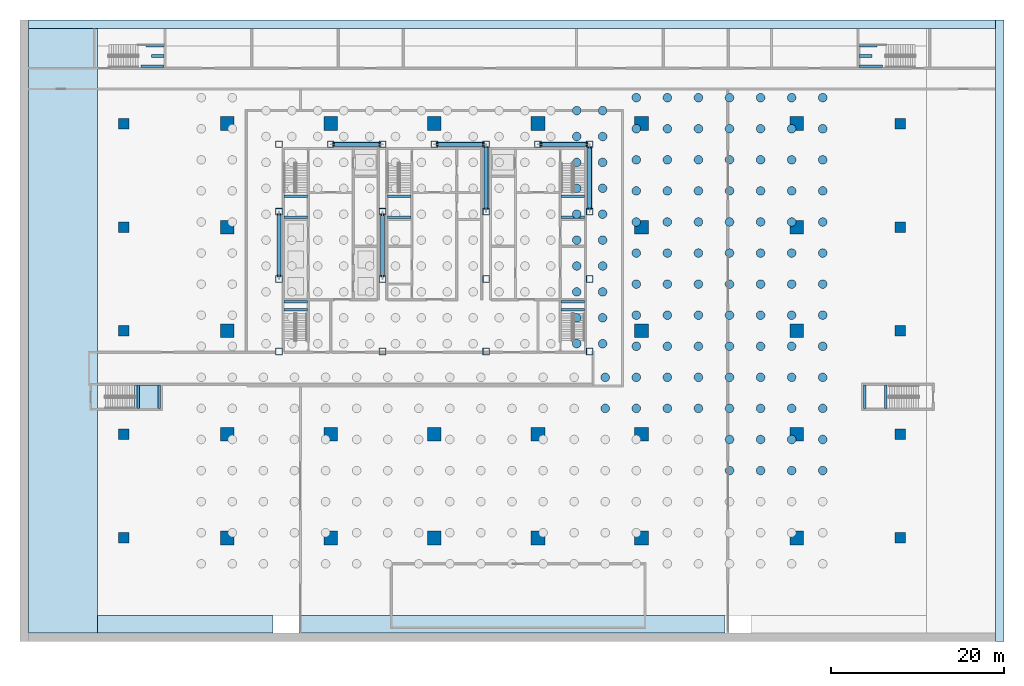
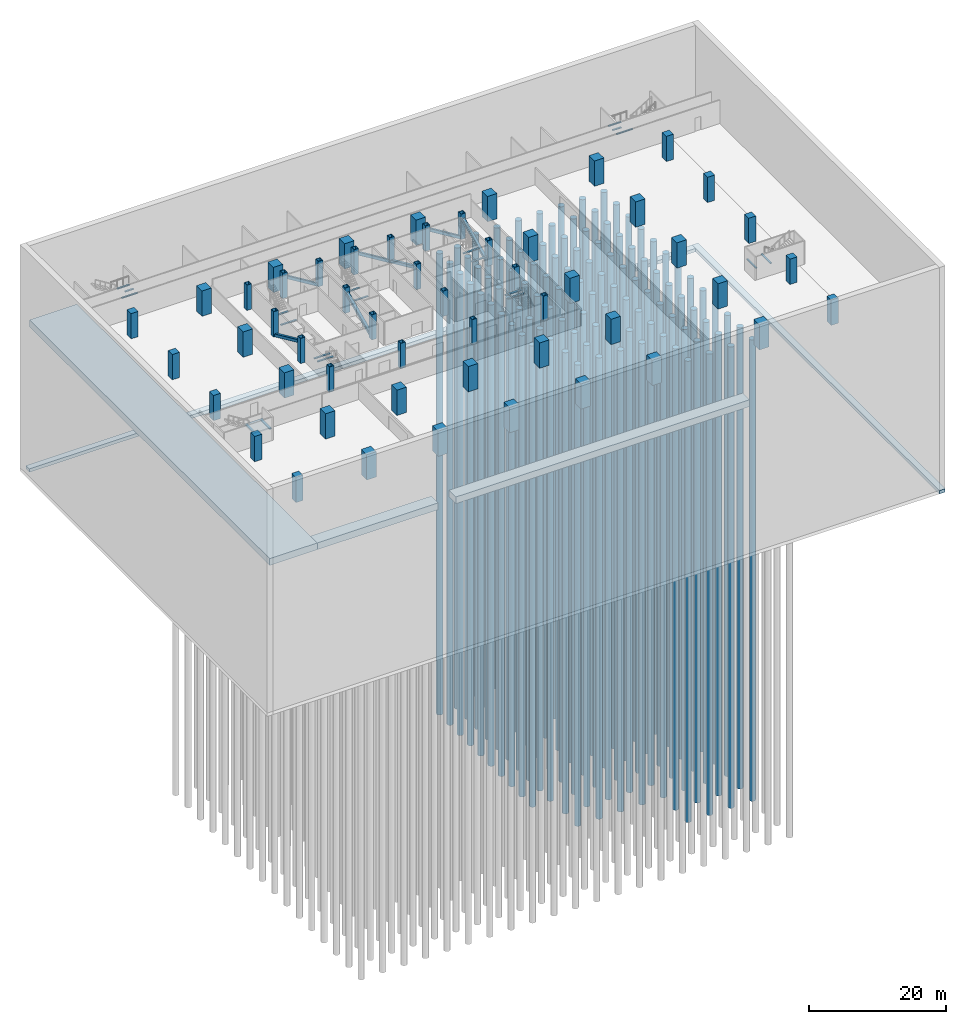
# One storey, part 2 of 18: 107 piles, 53 columns, 20 beams, 7 members, 4 slabs, 2 footings, 1 element without a shape of its own.
"""IFC4 building model written with IfcOpenShell, lengths in metres."""

from ifc_helpers import new_model, si_unit, direction, frame, origin, origin_2d, place, context, subcontext, project, spatial, polyline, rectangle, hollow_rectangle, circle, outline, extrude, material, layer, layer_set, material_profile, profile_set, type_object, element, aggregate, save


model = new_model("IFC4")

# Units and contexts
model_context = context("Model", 3, precision=1e-05, world=origin(), true_north=direction((0.0, 1.0)))
body_context = subcontext(model_context, "Body", "Model", "MODEL_VIEW")
ifc_project = project(units=[si_unit("LENGTHUNIT", "METRE"), si_unit("AREAUNIT", "SQUARE_METRE"), si_unit("VOLUMEUNIT", "CUBIC_METRE"), si_unit("PLANEANGLEUNIT", "RADIAN"), si_unit("MASSUNIT", "GRAM", prefix="KILO")], contexts=[model_context])

# Site, building, storey
site_placement = place(None, origin())
site = spatial("IfcSite", under=ifc_project, at=site_placement, CompositionType="ELEMENT")
building_placement = place(site_placement, origin())
building = spatial("IfcBuilding", under=site, at=building_placement, Name="Sorahane Residences", CompositionType="ELEMENT")
storey_placement = place(building_placement, frame((0.0, 0.0, -13.5)))
storey = spatial("IfcBuildingStorey", under=building, at=storey_placement, Name="B3", CompositionType="ELEMENT", Elevation=-13.5)

# Piles
ifc_material_1 = material(Name="Concrete C40", Category="concrete")
ifc_material_profile_1 = material_profile(ifc_material_1, circle(Radius=0.5, at=origin_2d()), Name="D1000")
ifc_profile_set_1 = profile_set([ifc_material_profile_1], Name="Concrete C40")
pile_type = type_object("IfcPileType", Name="Bored pile D1000 Concrete C40", PredefinedType="BORED", material=ifc_profile_set_1)
for number, where, z_axis, x_axis, name in (
    (1, (58.199951171875, 7.800048828125, -4.39990234375), (0.0, 0.0, -1.0), (1.0, 0.0, 0.0), "Pile P081"),
    (2, (61.800048828125, 7.800048828125, -4.39990234375), (0.0, 0.0, -1.0), (1.0, 0.0, 0.0), "Pile P082"),
    (3, (65.39990234375, 7.800048828125, -4.39990234375), (0.0, 0.0, -1.0), (1.0, 0.0, 0.0), "Pile P083"),
    (4, (69.0, 7.800048828125, -4.39990234375), (0.0, 0.0, -1.0), (1.0, 0.0, 0.0), "Pile P084"),
    (5, (58.199951171875, 11.39990234375, -4.39990234375), (0.0, 0.0, -1.0), (1.0, 0.0, 0.0), "Pile P102"),
    (6, (61.800048828125, 11.39990234375, -4.39990234375), (0.0, 0.0, -1.0), (1.0, 0.0, 0.0), "Pile P103"),
    (7, (65.39990234375, 11.39990234375, -4.39990234375), (0.0, 0.0, -1.0), (1.0, 0.0, 0.0), "Pile P104"),
    (8, (69.0, 11.39990234375, -4.39990234375), (0.0, 0.0, -1.0), (1.0, 0.0, 0.0), "Pile P105"),
    (9, (43.800048828125, 15.0, -4.39990234375), (0.0, 0.0, -1.0), (1.0, 0.0, 0.0), "Pile P119"),
    (10, (47.39990234375, 15.0, -4.39990234375), (0.0, 0.0, -1.0), (1.0, 0.0, 0.0), "Pile P120"),
    (11, (51.0, 15.0, -4.39990234375), (0.0, 0.0, -1.0), (1.0, 0.0, 0.0), "Pile P121"),
    (12, (54.60009765625, 15.0, -4.39990234375), (0.0, 0.0, -1.0), (1.0, 0.0, 0.0), "Pile P122"),
    (13, (58.199951171875, 15.0, -4.39990234375), (0.0, 0.0, -1.0), (1.0, 0.0, 0.0), "Pile P123"),
    (14, (61.800048828125, 15.0, -4.39990234375), (0.0, 0.0, -1.0), (1.0, 0.0, 0.0), "Pile P124"),
    (15, (65.39990234375, 15.0, -4.39990234375), (0.0, 0.0, -1.0), (1.0, 0.0, 0.0), "Pile P125"),
    (16, (69.0, 15.0, -4.39990234375), (0.0, 0.0, -1.0), (1.0, 0.0, 0.0), "Pile P126"),
    (17, (43.800048828125, 18.60009765625, -4.39990234375), (0.0, 0.0, -1.0), (1.0, 0.0, 0.0), "Pile P140"),
    (18, (47.39990234375, 18.60009765625, -4.39990234375), (0.0, 0.0, -1.0), (1.0, 0.0, 0.0), "Pile P141"),
    (19, (51.0, 18.60009765625, -4.39990234375), (0.0, 0.0, -1.0), (1.0, 0.0, 0.0), "Pile P142"),
    (20, (54.60009765625, 18.60009765625, -4.39990234375), (0.0, 0.0, -1.0), (1.0, 0.0, 0.0), "Pile P143"),
    (21, (58.199951171875, 18.60009765625, -4.39990234375), (0.0, 0.0, -1.0), (1.0, 0.0, 0.0), "Pile P144"),
    (22, (61.800048828125, 18.60009765625, -4.39990234375), (0.0, 0.0, -1.0), (1.0, 0.0, 0.0), "Pile P145"),
    (23, (65.39990234375, 18.60009765625, -4.39990234375), (0.0, 0.0, -1.0), (1.0, 0.0, 0.0), "Pile P146"),
    (24, (69.0, 18.60009765625, -4.39990234375), (0.0, 0.0, -1.0), (1.0, 0.0, 0.0), "Pile P147"),
    (25, (47.39990234375, 22.199951171875, -4.39990234375), (0.0, 0.0, -1.0), (1.0, 0.0, 0.0), "Pile P150"),
    (26, (51.0, 22.199951171875, -4.39990234375), (0.0, 0.0, -1.0), (1.0, 0.0, 0.0), "Pile P151"),
    (27, (54.60009765625, 22.199951171875, -4.39990234375), (0.0, 0.0, -1.0), (1.0, 0.0, 0.0), "Pile P152"),
    (28, (58.199951171875, 22.199951171875, -4.39990234375), (0.0, 0.0, -1.0), (1.0, 0.0, 0.0), "Pile P153"),
    (29, (61.800048828125, 22.199951171875, -4.39990234375), (0.0, 0.0, -1.0), (1.0, 0.0, 0.0), "Pile P154"),
    (30, (65.39990234375, 22.199951171875, -4.39990234375), (0.0, 0.0, -1.0), (1.0, 0.0, 0.0), "Pile P155"),
    (31, (69.0, 22.199951171875, -4.39990234375), (0.0, 0.0, -1.0), (1.0, 0.0, 0.0), "Pile P156"),
    (32, (40.5, 22.5, -4.39990234375), (0.0, 0.0, -1.0), (1.0, 0.0, 0.0), "Pile P169"),
    (33, (43.5, 22.5, -4.39990234375), (0.0, 0.0, -1.0), (1.0, 0.0, 0.0), "Pile P170"),
    (34, (40.5, 25.5, -4.39990234375), (0.0, 0.0, -1.0), (1.0, 0.0, 0.0), "Pile P183"),
    (35, (43.5, 25.5, -4.39990234375), (0.0, 0.0, -1.0), (1.0, 0.0, 0.0), "Pile P184"),
    (36, (47.39990234375, 25.800048828125, -4.39990234375), (0.0, 0.0, -1.0), (1.0, 0.0, 0.0), "Pile P187"),
    (37, (51.0, 25.800048828125, -4.39990234375), (0.0, 0.0, -1.0), (1.0, 0.0, 0.0), "Pile P188"),
    (38, (54.60009765625, 25.800048828125, -4.39990234375), (0.0, 0.0, -1.0), (1.0, 0.0, 0.0), "Pile P189"),
    (39, (58.199951171875, 25.800048828125, -4.39990234375), (0.0, 0.0, -1.0), (1.0, 0.0, 0.0), "Pile P190"),
    (40, (61.800048828125, 25.800048828125, -4.39990234375), (0.0, 0.0, -1.0), (1.0, 0.0, 0.0), "Pile P191"),
    (41, (65.39990234375, 25.800048828125, -4.39990234375), (0.0, 0.0, -1.0), (1.0, 0.0, 0.0), "Pile P192"),
    (42, (69.0, 25.800048828125, -4.39990234375), (0.0, 0.0, -1.0), (1.0, 0.0, 0.0), "Pile P193"),
    (43, (40.5, 28.5, -4.39990234375), (0.0, 0.0, -1.0), (1.0, 0.0, 0.0), "Pile P206"),
    (44, (43.5, 28.5, -4.39990234375), (0.0, 0.0, -1.0), (1.0, 0.0, 0.0), "Pile P207"),
    (45, (47.39990234375, 29.39990234375, -4.39990234375), (0.0, 0.0, -1.0), (1.0, 0.0, 0.0), "Pile P210"),
    (46, (51.0, 29.39990234375, -4.39990234375), (0.0, 0.0, -1.0), (1.0, 0.0, 0.0), "Pile P211"),
    (47, (54.60009765625, 29.39990234375, -4.39990234375), (0.0, 0.0, -1.0), (1.0, 0.0, 0.0), "Pile P212"),
    (48, (58.199951171875, 29.39990234375, -4.39990234375), (0.0, 0.0, -1.0), (1.0, 0.0, 0.0), "Pile P213"),
    (49, (61.800048828125, 29.39990234375, -4.39990234375), (0.0, 0.0, -1.0), (1.0, 0.0, 0.0), "Pile P214"),
    (50, (65.39990234375, 29.39990234375, -4.39990234375), (0.0, 0.0, -1.0), (1.0, 0.0, 0.0), "Pile P215"),
    (51, (69.0, 29.39990234375, -4.39990234375), (0.0, 0.0, -1.0), (1.0, 0.0, 0.0), "Pile P216"),
    (52, (40.5, 31.5, -4.39990234375), (0.0, 0.0, -1.0), (1.0, 0.0, 0.0), "Pile P229"),
    (53, (43.5, 31.5, -4.39990234375), (0.0, 0.0, -1.0), (1.0, 0.0, 0.0), "Pile P230"),
    (54, (47.39990234375, 33.0, -4.39990234375), (0.0, 0.0, -1.0), (1.0, 0.0, 0.0), "Pile P233"),
    (55, (51.0, 33.0, -4.39990234375), (0.0, 0.0, -1.0), (1.0, 0.0, 0.0), "Pile P234"),
    (56, (54.60009765625, 33.0, -4.39990234375), (0.0, 0.0, -1.0), (1.0, 0.0, 0.0), "Pile P235"),
    (57, (58.199951171875, 33.0, -4.39990234375), (0.0, 0.0, -1.0), (1.0, 0.0, 0.0), "Pile P236"),
    (58, (61.800048828125, 33.0, -4.39990234375), (0.0, 0.0, -1.0), (1.0, 0.0, 0.0), "Pile P237"),
    (59, (65.39990234375, 33.0, -4.39990234375), (0.0, 0.0, -1.0), (1.0, 0.0, 0.0), "Pile P238"),
    (60, (69.0, 33.0, -4.39990234375), (0.0, 0.0, -1.0), (1.0, 0.0, 0.0), "Pile P239"),
    (61, (40.5, 34.5, -4.39990234375), (0.0, 0.0, -1.0), (1.0, 0.0, 0.0), "Pile P252"),
    (62, (43.5, 34.5, -4.39990234375), (0.0, 0.0, -1.0), (1.0, 0.0, 0.0), "Pile P253"),
    (63, (47.39990234375, 36.60009765625, -4.39990234375), (0.0, 0.0, -1.0), (1.0, 0.0, 0.0), "Pile P256"),
    (64, (51.0, 36.60009765625, -4.39990234375), (0.0, 0.0, -1.0), (1.0, 0.0, 0.0), "Pile P257"),
    (65, (54.60009765625, 36.60009765625, -4.39990234375), (0.0, 0.0, -1.0), (1.0, 0.0, 0.0), "Pile P258"),
    (66, (58.199951171875, 36.60009765625, -4.39990234375), (0.0, 0.0, -1.0), (1.0, 0.0, 0.0), "Pile P259"),
    (67, (61.800048828125, 36.60009765625, -4.39990234375), (0.0, 0.0, -1.0), (1.0, 0.0, 0.0), "Pile P260"),
    (68, (65.39990234375, 36.60009765625, -4.39990234375), (0.0, 0.0, -1.0), (1.0, 0.0, 0.0), "Pile P261"),
    (69, (69.0, 36.60009765625, -4.39990234375), (0.0, 0.0, -1.0), (1.0, 0.0, 0.0), "Pile P262"),
    (70, (40.5, 37.5, -4.39990234375), (0.0, 0.0, -1.0), (1.0, 0.0, 0.0), "Pile P275"),
    (71, (43.5, 37.5, -4.39990234375), (0.0, 0.0, -1.0), (1.0, 0.0, 0.0), "Pile P276"),
    (72, (47.39990234375, 40.199951171875, -4.39990234375), (0.0, 0.0, -1.0), (1.0, 0.0, 0.0), "Pile P279"),
    (73, (51.0, 40.199951171875, -4.39990234375), (0.0, 0.0, -1.0), (1.0, 0.0, 0.0), "Pile P280"),
    (74, (54.60009765625, 40.199951171875, -4.39990234375), (0.0, 0.0, -1.0), (1.0, 0.0, 0.0), "Pile P281"),
    (75, (58.199951171875, 40.199951171875, -4.39990234375), (0.0, 0.0, -1.0), (1.0, 0.0, 0.0), "Pile P282"),
    (76, (61.800048828125, 40.199951171875, -4.39990234375), (0.0, 0.0, -1.0), (1.0, 0.0, 0.0), "Pile P283"),
    (77, (65.39990234375, 40.199951171875, -4.39990234375), (0.0, 0.0, -1.0), (1.0, 0.0, 0.0), "Pile P284"),
    (78, (69.0, 40.199951171875, -4.39990234375), (0.0, 0.0, -1.0), (1.0, 0.0, 0.0), "Pile P285"),
    (79, (40.5, 40.5, -4.39990234375), (0.0, 0.0, -1.0), (1.0, 0.0, 0.0), "Pile P298"),
    (80, (43.5, 40.5, -4.39990234375), (0.0, 0.0, -1.0), (1.0, 0.0, 0.0), "Pile P299"),
    (81, (40.5, 43.5, -4.39990234375), (0.0, 0.0, -1.0), (1.0, 0.0, 0.0), "Pile P312"),
    (82, (43.5, 43.5, -4.39990234375), (0.0, 0.0, -1.0), (1.0, 0.0, 0.0), "Pile P313"),
    (83, (47.39990234375, 43.800048828125, -4.39990234375), (0.0, 0.0, -1.0), (1.0, 0.0, 0.0), "Pile P316"),
    (84, (51.0, 43.800048828125, -4.39990234375), (0.0, 0.0, -1.0), (1.0, 0.0, 0.0), "Pile P317"),
    (85, (54.60009765625, 43.800048828125, -4.39990234375), (0.0, 0.0, -1.0), (1.0, 0.0, 0.0), "Pile P318"),
    (86, (58.199951171875, 43.800048828125, -4.39990234375), (0.0, 0.0, -1.0), (1.0, 0.0, 0.0), "Pile P319"),
    (87, (61.800048828125, 43.800048828125, -4.39990234375), (0.0, 0.0, -1.0), (1.0, 0.0, 0.0), "Pile P320"),
    (88, (65.39990234375, 43.800048828125, -4.39990234375), (0.0, 0.0, -1.0), (1.0, 0.0, 0.0), "Pile P321"),
    (89, (69.0, 43.800048828125, -4.39990234375), (0.0, 0.0, -1.0), (1.0, 0.0, 0.0), "Pile P322"),
    (90, (40.5, 46.5, -4.39990234375), (0.0, 0.0, -1.0), (1.0, 0.0, 0.0), "Pile P335"),
    (91, (43.5, 46.5, -4.39990234375), (0.0, 0.0, -1.0), (1.0, 0.0, 0.0), "Pile P336"),
    (92, (47.39990234375, 47.39990234375, -4.39990234375), (0.0, 0.0, -1.0), (1.0, 0.0, 0.0), "Pile P339"),
    (93, (51.0, 47.39990234375, -4.39990234375), (0.0, 0.0, -1.0), (1.0, 0.0, 0.0), "Pile P340"),
    (94, (54.60009765625, 47.39990234375, -4.39990234375), (0.0, 0.0, -1.0), (1.0, 0.0, 0.0), "Pile P341"),
    (95, (58.199951171875, 47.39990234375, -4.39990234375), (0.0, 0.0, -1.0), (1.0, 0.0, 0.0), "Pile P342"),
    (96, (61.800048828125, 47.39990234375, -4.39990234375), (0.0, 0.0, -1.0), (1.0, 0.0, 0.0), "Pile P343"),
    (97, (65.39990234375, 47.39990234375, -4.39990234375), (0.0, 0.0, -1.0), (1.0, 0.0, 0.0), "Pile P344"),
    (98, (69.0, 47.39990234375, -4.39990234375), (0.0, 0.0, -1.0), (1.0, 0.0, 0.0), "Pile P345"),
    (99, (40.5, 49.5, -4.39990234375), (0.0, 0.0, -1.0), (1.0, 0.0, 0.0), "Pile P358"),
    (100, (43.5, 49.5, -4.39990234375), (0.0, 0.0, -1.0), (1.0, 0.0, 0.0), "Pile P359"),
    (101, (47.39990234375, 51.0, -4.39990234375), (0.0, 0.0, -1.0), (1.0, 0.0, 0.0), "Pile P362"),
    (102, (51.0, 51.0, -4.39990234375), (0.0, 0.0, -1.0), (1.0, 0.0, 0.0), "Pile P363"),
    (103, (54.60009765625, 51.0, -4.39990234375), (0.0, 0.0, -1.0), (1.0, 0.0, 0.0), "Pile P364"),
    (104, (58.199951171875, 51.0, -4.39990234375), (0.0, 0.0, -1.0), (1.0, 0.0, 0.0), "Pile P365"),
    (105, (61.800048828125, 51.0, -4.39990234375), (0.0, 0.0, -1.0), (1.0, 0.0, 0.0), "Pile P366"),
    (106, (65.39990234375, 51.0, -4.39990234375), (0.0, 0.0, -1.0), (1.0, 0.0, 0.0), "Pile P367"),
    (107, (69.0, 51.0, -4.39990234375), (0.0, 0.0, -1.0), (1.0, 0.0, 0.0), "Pile P368"),
):
    element("IfcPile", number, at=place(storey_placement, frame(where, z_axis=z_axis, x_axis=x_axis)), inside=storey, type_object=pile_type, Name=name, PredefinedType="BORED", context=body_context, shape_type="SweptSolid", body=[
        extrude(circle(Radius=0.5, at=origin_2d()), origin(), (0.0, 0.0, 1.0), 82.0),
    ])

# Footings
ifc_material_2 = material(Name="Concrete C40", Category="concrete")
ifc_layer_1 = layer(ifc_material_2, 0.60009765625)
ifc_layer_set_1 = layer_set([ifc_layer_1], Name="Diaphragm wall toe strip 600 mm Concrete C40")
footing_type = type_object("IfcFootingType", Name="Diaphragm wall toe strip 600 mm Concrete C40", PredefinedType="STRIP_FOOTING", material=ifc_layer_set_1)
footing_1_placement = place(storey_placement, frame((0.0, 0.0, -27.10009765625)))
element("IfcFooting", 108, at=footing_1_placement, inside=storey, type_object=footing_type, Name="Diaphragm wall toe strip east", PredefinedType="STRIP_FOOTING", context=body_context, shape_type="SweptSolid", body=[
    extrude(outline(polyline([(89.0, -12.0), (90.0, -12.0), (90.0, 60.0), (89.0, 60.0), (89.0, -12.0)])), origin(), (0.0, 0.0, 1.0), 0.60009765625),
])
footing_2_placement = place(storey_placement, frame((0.0, 0.0, -27.10009765625)))
element("IfcFooting", 109, at=footing_2_placement, inside=storey, type_object=footing_type, Name="Diaphragm wall toe strip north", PredefinedType="STRIP_FOOTING", context=body_context, shape_type="SweptSolid", body=[
    extrude(outline(polyline([(-23.0, 59.0), (89.0, 59.0), (89.0, 60.0), (-23.0, 60.0), (-23.0, 59.0)])), origin(), (0.0, 0.0, 1.0), 0.60009765625),
])

# Columns
ifc_material_3 = material(Name="Concrete C60", Category="concrete")
ifc_material_profile_2 = material_profile(ifc_material_3, rectangle(XDim=1.199951171875, YDim=1.199951171875, at=origin_2d()), Name="1200x1200")
ifc_profile_set_2 = profile_set([ifc_material_profile_2], Name="Concrete C60")
column_type_1 = type_object("IfcColumnType", Name="RC column 1200 x 1200 Concrete C60", PredefinedType="COLUMN", material=ifc_profile_set_2)
for number, where, z_axis, x_axis, name in (
    (110, (-12.0, 0.0, 0.0), (0.0, 0.0, 1.0), (1.0, 0.0, 0.0), "Column B3 m12/0"),
    (111, (-12.0, 12.0, 0.0), (0.0, 0.0, 1.0), (1.0, 0.0, 0.0), "Column B3 m12/12"),
    (112, (-12.0, 24.0, 0.0), (0.0, 0.0, 1.0), (1.0, 0.0, 0.0), "Column B3 m12/24"),
    (113, (-12.0, 36.0, 0.0), (0.0, 0.0, 1.0), (1.0, 0.0, 0.0), "Column B3 m12/36"),
    (114, (-12.0, 48.0, 0.0), (0.0, 0.0, 1.0), (1.0, 0.0, 0.0), "Column B3 m12/48"),
    (115, (78.0, 0.0, 0.0), (0.0, 0.0, 1.0), (1.0, 0.0, 0.0), "Column B3 78/0"),
    (116, (78.0, 12.0, 0.0), (0.0, 0.0, 1.0), (1.0, 0.0, 0.0), "Column B3 78/12"),
    (117, (78.0, 24.0, 0.0), (0.0, 0.0, 1.0), (1.0, 0.0, 0.0), "Column B3 78/24"),
    (118, (78.0, 36.0, 0.0), (0.0, 0.0, 1.0), (1.0, 0.0, 0.0), "Column B3 78/36"),
    (119, (78.0, 48.0, 0.0), (0.0, 0.0, 1.0), (1.0, 0.0, 0.0), "Column B3 78/48"),
):
    element("IfcColumn", number, at=place(storey_placement, frame(where, z_axis=z_axis, x_axis=x_axis)), inside=storey, type_object=column_type_1, Name=name, PredefinedType="COLUMN", context=body_context, shape_type="SweptSolid", body=[
        extrude(rectangle(XDim=1.199951171875, YDim=1.199951171875, at=origin_2d()), origin(), (0.0, 0.0, 1.0), 4.5),
    ])
ifc_material_4 = material(Name="Concrete C60", Category="concrete")
ifc_material_profile_3 = material_profile(ifc_material_4, rectangle(XDim=1.60009765625, YDim=1.60009765625, at=origin_2d()), Name="1600x1600")
ifc_profile_set_3 = profile_set([ifc_material_profile_3], Name="Concrete C60")
column_type_2 = type_object("IfcColumnType", Name="RC column 1600 x 1600 Concrete C60", PredefinedType="COLUMN", material=ifc_profile_set_3)
for number, where, z_axis, x_axis, name in (
    (120, (0.0, 0.0, 0.0), (0.0, 0.0, 1.0), (1.0, 0.0, 0.0), "Column B3 0/0"),
    (121, (0.0, 12.0, 0.0), (0.0, 0.0, 1.0), (1.0, 0.0, 0.0), "Column B3 0/12"),
    (122, (0.0, 24.0, 0.0), (0.0, 0.0, 1.0), (1.0, 0.0, 0.0), "Column B3 0/24"),
    (123, (0.0, 36.0, 0.0), (0.0, 0.0, 1.0), (1.0, 0.0, 0.0), "Column B3 0/36"),
    (124, (0.0, 48.0, 0.0), (0.0, 0.0, 1.0), (1.0, 0.0, 0.0), "Column B3 0/48"),
    (125, (12.0, 0.0, 0.0), (0.0, 0.0, 1.0), (1.0, 0.0, 0.0), "Column B3 12/0"),
    (126, (12.0, 12.0, 0.0), (0.0, 0.0, 1.0), (1.0, 0.0, 0.0), "Column B3 12/12"),
    (127, (12.0, 48.0, 0.0), (0.0, 0.0, 1.0), (1.0, 0.0, 0.0), "Column B3 12/48"),
    (128, (24.0, 0.0, 0.0), (0.0, 0.0, 1.0), (1.0, 0.0, 0.0), "Column B3 24/0"),
    (129, (24.0, 12.0, 0.0), (0.0, 0.0, 1.0), (1.0, 0.0, 0.0), "Column B3 24/12"),
    (130, (24.0, 48.0, 0.0), (0.0, 0.0, 1.0), (1.0, 0.0, 0.0), "Column B3 24/48"),
    (131, (36.0, 0.0, 0.0), (0.0, 0.0, 1.0), (1.0, 0.0, 0.0), "Column B3 36/0"),
    (132, (36.0, 12.0, 0.0), (0.0, 0.0, 1.0), (1.0, 0.0, 0.0), "Column B3 36/12"),
    (133, (36.0, 48.0, 0.0), (0.0, 0.0, 1.0), (1.0, 0.0, 0.0), "Column B3 36/48"),
    (134, (48.0, 0.0, 0.0), (0.0, 0.0, 1.0), (1.0, 0.0, 0.0), "Column B3 48/0"),
    (135, (48.0, 12.0, 0.0), (0.0, 0.0, 1.0), (1.0, 0.0, 0.0), "Column B3 48/12"),
    (136, (48.0, 24.0, 0.0), (0.0, 0.0, 1.0), (1.0, 0.0, 0.0), "Column B3 48/24"),
    (137, (48.0, 36.0, 0.0), (0.0, 0.0, 1.0), (1.0, 0.0, 0.0), "Column B3 48/36"),
    (138, (48.0, 48.0, 0.0), (0.0, 0.0, 1.0), (1.0, 0.0, 0.0), "Column B3 48/48"),
    (139, (66.0, 0.0, 0.0), (0.0, 0.0, 1.0), (1.0, 0.0, 0.0), "Column B3 66/0"),
    (140, (66.0, 12.0, 0.0), (0.0, 0.0, 1.0), (1.0, 0.0, 0.0), "Column B3 66/12"),
    (141, (66.0, 24.0, 0.0), (0.0, 0.0, 1.0), (1.0, 0.0, 0.0), "Column B3 66/24"),
    (142, (66.0, 36.0, 0.0), (0.0, 0.0, 1.0), (1.0, 0.0, 0.0), "Column B3 66/36"),
    (143, (66.0, 48.0, 0.0), (0.0, 0.0, 1.0), (1.0, 0.0, 0.0), "Column B3 66/48"),
):
    element("IfcColumn", number, at=place(storey_placement, frame(where, z_axis=z_axis, x_axis=x_axis)), inside=storey, type_object=column_type_2, Name=name, PredefinedType="COLUMN", context=body_context, shape_type="SweptSolid", body=[
        extrude(rectangle(XDim=1.60009765625, YDim=1.60009765625, at=origin_2d()), origin(), (0.0, 0.0, 1.0), 4.5),
    ])
ifc_material_5 = material(Name="Steel Q420GJ", Category="steel")
ifc_material_profile_4 = material_profile(ifc_material_5, hollow_rectangle(XDim=0.800048828125, YDim=0.800048828125, WallThickness=0.070068359375, at=origin_2d()), Name="BOX 800x800x70")
ifc_profile_set_4 = profile_set([ifc_material_profile_4], Name="Steel Q420GJ")
column_type_3 = type_object("IfcColumnType", Name="Steel box column BOX 800x800x70 Q420GJ", PredefinedType="COLUMN", material=ifc_profile_set_4)
for number, where, z_axis, x_axis, name in (
    (144, (6.0, 21.60009765625, 0.0), (0.0, 0.0, 1.0), (1.0, 0.0, 0.0), "Column B3 6/21.6"),
    (145, (6.0, 30.0, 0.0), (0.0, 0.0, 1.0), (1.0, 0.0, 0.0), "Column B3 6/30"),
    (146, (6.0, 37.800048828125, 0.0), (0.0, 0.0, 1.0), (1.0, 0.0, 0.0), "Column B3 6/37.8"),
    (147, (6.0, 45.60009765625, 0.0), (0.0, 0.0, 1.0), (1.0, 0.0, 0.0), "Column B3 6/45.6"),
    (148, (12.0, 45.60009765625, 0.0), (0.0, 0.0, 1.0), (1.0, 0.0, 0.0), "Column B3 12/45.6"),
    (149, (18.0, 21.60009765625, 0.0), (0.0, 0.0, 1.0), (1.0, 0.0, 0.0), "Column B3 18/21.6"),
    (150, (18.0, 30.0, 0.0), (0.0, 0.0, 1.0), (1.0, 0.0, 0.0), "Column B3 18/30"),
    (151, (18.0, 37.800048828125, 0.0), (0.0, 0.0, 1.0), (1.0, 0.0, 0.0), "Column B3 18/37.8"),
    (152, (18.0, 45.60009765625, 0.0), (0.0, 0.0, 1.0), (1.0, 0.0, 0.0), "Column B3 18/45.6"),
    (153, (24.0, 45.60009765625, 0.0), (0.0, 0.0, 1.0), (1.0, 0.0, 0.0), "Column B3 24/45.6"),
    (154, (30.0, 21.60009765625, 0.0), (0.0, 0.0, 1.0), (1.0, 0.0, 0.0), "Column B3 30/21.6"),
    (155, (30.0, 30.0, 0.0), (0.0, 0.0, 1.0), (1.0, 0.0, 0.0), "Column B3 30/30"),
    (156, (30.0, 37.800048828125, 0.0), (0.0, 0.0, 1.0), (1.0, 0.0, 0.0), "Column B3 30/37.8"),
    (157, (30.0, 45.60009765625, 0.0), (0.0, 0.0, 1.0), (1.0, 0.0, 0.0), "Column B3 30/45.6"),
    (158, (36.0, 45.60009765625, 0.0), (0.0, 0.0, 1.0), (1.0, 0.0, 0.0), "Column B3 36/45.6"),
    (159, (42.0, 21.60009765625, 0.0), (0.0, 0.0, 1.0), (1.0, 0.0, 0.0), "Column B3 42/21.6"),
    (160, (42.0, 30.0, 0.0), (0.0, 0.0, 1.0), (1.0, 0.0, 0.0), "Column B3 42/30"),
    (161, (42.0, 37.800048828125, 0.0), (0.0, 0.0, 1.0), (1.0, 0.0, 0.0), "Column B3 42/37.8"),
    (162, (42.0, 45.60009765625, 0.0), (0.0, 0.0, 1.0), (1.0, 0.0, 0.0), "Column B3 42/45.6"),
):
    element("IfcColumn", number, at=place(storey_placement, frame(where, z_axis=z_axis, x_axis=x_axis)), inside=storey, type_object=column_type_3, Name=name, PredefinedType="COLUMN", context=body_context, shape_type="SweptSolid", body=[
        extrude(hollow_rectangle(XDim=0.800048828125, YDim=0.800048828125, WallThickness=0.070068359375, at=origin_2d()), origin(), (0.0, 0.0, 1.0), 4.5),
    ])

# Members
ifc_material_6 = material(Name="Steel Q355B", Category="steel")
ifc_material_profile_5 = material_profile(ifc_material_6, hollow_rectangle(XDim=0.5, YDim=0.5, WallThickness=0.02490234375, InnerFilletRadius=0.012451171875, OuterFilletRadius=0.03759765625, at=origin_2d()), Name="RHS 500x500x25")
ifc_profile_set_5 = profile_set([ifc_material_profile_5], Name="Steel Q355B")
member_type = type_object("IfcMemberType", Name="Core brace RHS 500x500x25 Q355B", PredefinedType="BRACE", material=ifc_profile_set_5)
for number, where, z_axis, x_axis, name in (
    (163, (17.67822265625, 45.60009765625, 0.22216796875), (-0.853122236876, 0.0, 0.521711078038), (0.0, -1.0, 0.0), "Core brace B3 y45.6-2"),
    (164, (29.67822265625, 45.60009765625, 0.22216796875), (-0.853122236876, 0.0, 0.521711078038), (0.0, -1.0, 0.0), "Core brace B3 y45.6-4"),
    (165, (41.67822265625, 45.60009765625, 0.22216796875), (-0.853122236876, 0.0, 0.521711078038), (0.0, -1.0, 0.0), "Core brace B3 y45.6-6"),
):
    element("IfcMember", number, at=place(storey_placement, frame(where, z_axis=z_axis, x_axis=x_axis)), inside=storey, type_object=member_type, Name=name, PredefinedType="BRACE", context=body_context, shape_type="SweptSolid", body=[
        extrude(hollow_rectangle(XDim=0.5, YDim=0.5, WallThickness=0.02490234375, InnerFilletRadius=0.012451171875, OuterFilletRadius=0.03759765625, at=origin_2d()), origin(), (0.0, 0.0, 1.0), 6.278564453125),
    ])
member_1_placement = place(storey_placement, frame((6.0, 37.462158203125, 0.24169921875), z_axis=(0.0, -0.910449801702, 0.41361958196), x_axis=(1.0, 0.0, 0.0)))
element("IfcMember", 166, at=member_1_placement, inside=storey, type_object=member_type, Name="Core brace B3 x6-2", PredefinedType="BRACE", context=body_context, shape_type="SweptSolid", body=[
    extrude(hollow_rectangle(XDim=0.5, YDim=0.5, WallThickness=0.02490234375, InnerFilletRadius=0.012451171875, OuterFilletRadius=0.03759765625, at=origin_2d()), origin(), (0.0, 0.0, 1.0), 7.824951171875),
])
member_2_placement = place(storey_placement, frame((42.0, 38.137939453125, 0.24169921875), z_axis=(0.0, 0.910444463727, 0.413631331584), x_axis=(-1.0, 0.0, 0.0)))
element("IfcMember", 167, at=member_2_placement, inside=storey, type_object=member_type, Name="Core brace B3 x42-3", PredefinedType="BRACE", context=body_context, shape_type="SweptSolid", body=[
    extrude(hollow_rectangle(XDim=0.5, YDim=0.5, WallThickness=0.02490234375, InnerFilletRadius=0.012451171875, OuterFilletRadius=0.03759765625, at=origin_2d()), origin(), (0.0, 0.0, 1.0), 7.82470703125),
])
member_3_placement = place(storey_placement, frame((18.0, 30.337890625, 0.24169921875), z_axis=(0.0, 0.910449801702, 0.41361958196), x_axis=(-1.0, 0.0, 0.0)))
element("IfcMember", 168, at=member_3_placement, inside=storey, type_object=member_type, Name="Core brace B3 x18-1", PredefinedType="BRACE", context=body_context, shape_type="SweptSolid", body=[
    extrude(hollow_rectangle(XDim=0.5, YDim=0.5, WallThickness=0.02490234375, InnerFilletRadius=0.012451171875, OuterFilletRadius=0.03759765625, at=origin_2d()), origin(), (0.0, 0.0, 1.0), 7.824951171875),
])
member_4_placement = place(storey_placement, frame((30.0, 45.261962890625, 0.24169921875), z_axis=(0.0, -0.910444463727, 0.413631331584), x_axis=(1.0, 0.0, 0.0)))
element("IfcMember", 169, at=member_4_placement, inside=storey, type_object=member_type, Name="Core brace B3 x30-2", PredefinedType="BRACE", context=body_context, shape_type="SweptSolid", body=[
    extrude(hollow_rectangle(XDim=0.5, YDim=0.5, WallThickness=0.02490234375, InnerFilletRadius=0.012451171875, OuterFilletRadius=0.03759765625, at=origin_2d()), origin(), (0.0, 0.0, 1.0), 7.82470703125),
])

# Beams
ifc_material_7 = material(Name="Concrete C40", Category="concrete")
ifc_material_profile_6 = material_profile(ifc_material_7, rectangle(XDim=0.300048828125, YDim=0.139892578125, at=origin_2d()), Name="300x140")
ifc_profile_set_6 = profile_set([ifc_material_profile_6], Name="Concrete C40")
beam_type = type_object("IfcBeamType", Name="RC landing beam 300 x 140 Concrete C40", PredefinedType="BEAM", material=ifc_profile_set_6)
beam_1_placement = place(storey_placement, frame((-7.300048828125, 54.64990234375, 1.97998046875), z_axis=(-1.0, 0.0, 0.0), x_axis=(0.0, -1.0, 0.0)))
element("IfcBeam", 170, at=beam_1_placement, inside=storey, type_object=beam_type, Name="Landing beam", PredefinedType="BEAM", context=body_context, shape_type="SweptSolid", body=[
    extrude(rectangle(XDim=0.300048828125, YDim=0.139892578125, at=origin_2d()), origin(), (0.0, 0.0, 1.0), 2.699951171875),
])
beam_2_placement = place(storey_placement, frame((-7.300048828125, 57.0, 1.97998046875), z_axis=(-1.0, 0.0, 0.0), x_axis=(0.0, -1.0, 0.0)))
element("IfcBeam", 171, at=beam_2_placement, inside=storey, type_object=beam_type, Name="Landing beam", PredefinedType="BEAM", context=body_context, shape_type="SweptSolid", body=[
    extrude(rectangle(XDim=0.300048828125, YDim=0.139892578125, at=origin_2d()), origin(), (0.0, 0.0, 1.0), 2.10595703125),
])
beam_3_placement = place(storey_placement, frame((-7.300048828125, 55.824951171875, 1.97998046875), z_axis=(-1.0, 0.0, 0.0), x_axis=(0.0, -1.0, 0.0)))
element("IfcBeam", 172, at=beam_3_placement, inside=storey, type_object=beam_type, Name="Landing beam", PredefinedType="BEAM", context=body_context, shape_type="SweptSolid", body=[
    extrude(rectangle(XDim=0.300048828125, YDim=0.139892578125, at=origin_2d()), origin(), (0.0, 0.0, 1.0), 1.48486328125),
])
beam_4_placement = place(storey_placement, frame((73.199951171875, 54.64990234375, 1.97998046875), z_axis=(1.0, 0.0, 0.0), x_axis=(0.0, 1.0, 0.0)))
element("IfcBeam", 173, at=beam_4_placement, inside=storey, type_object=beam_type, Name="Landing beam", PredefinedType="BEAM", context=body_context, shape_type="SweptSolid", body=[
    extrude(rectangle(XDim=0.300048828125, YDim=0.139892578125, at=origin_2d()), origin(), (0.0, 0.0, 1.0), 2.699951171875),
])
beam_5_placement = place(storey_placement, frame((73.199951171875, 57.0, 1.97998046875), z_axis=(1.0, 0.0, 0.0), x_axis=(0.0, 1.0, 0.0)))
element("IfcBeam", 174, at=beam_5_placement, inside=storey, type_object=beam_type, Name="Landing beam", PredefinedType="BEAM", context=body_context, shape_type="SweptSolid", body=[
    extrude(rectangle(XDim=0.300048828125, YDim=0.139892578125, at=origin_2d()), origin(), (0.0, 0.0, 1.0), 2.10595703125),
])
beam_6_placement = place(storey_placement, frame((73.199951171875, 55.824951171875, 1.97998046875), z_axis=(1.0, 0.0, 0.0), x_axis=(0.0, 1.0, 0.0)))
element("IfcBeam", 175, at=beam_6_placement, inside=storey, type_object=beam_type, Name="Landing beam", PredefinedType="BEAM", context=body_context, shape_type="SweptSolid", body=[
    extrude(rectangle(XDim=0.300048828125, YDim=0.139892578125, at=origin_2d()), origin(), (0.0, 0.0, 1.0), 1.485107421875),
])
for number, where, z_axis, x_axis, name in (
    (176, (-10.2900390625, 15.0, 1.97998046875), (0.0, 1.0, 0.0), (-1.0, 0.0, 0.0), "Landing beam"),
    (177, (-7.85009765625, 15.0, 1.97998046875), (0.0, 1.0, 0.0), (-1.0, 0.0, 0.0), "Landing beam"),
    (178, (73.85009765625, 15.0, 1.97998046875), (0.0, 1.0, 0.0), (-1.0, 0.0, 0.0), "Landing beam"),
    (179, (76.2900390625, 15.0, 1.97998046875), (0.0, 1.0, 0.0), (-1.0, 0.0, 0.0), "Landing beam"),
    (180, (6.60009765625, 37.14990234375, 1.97998046875), (1.0, 0.0, 0.0), (0.0, 1.0, 0.0), "Landing beam"),
    (181, (6.60009765625, 39.590087890625, 1.97998046875), (1.0, 0.0, 0.0), (0.0, 1.0, 0.0), "Landing beam"),
    (182, (38.699951171875, 37.14990234375, 1.97998046875), (1.0, 0.0, 0.0), (0.0, 1.0, 0.0), "Landing beam"),
    (183, (38.699951171875, 39.590087890625, 1.97998046875), (1.0, 0.0, 0.0), (0.0, 1.0, 0.0), "Landing beam"),
    (184, (18.60009765625, 37.14990234375, 1.97998046875), (1.0, 0.0, 0.0), (0.0, 1.0, 0.0), "Landing beam"),
    (185, (18.60009765625, 39.590087890625, 1.97998046875), (1.0, 0.0, 0.0), (0.0, 1.0, 0.0), "Landing beam"),
    (186, (6.60009765625, 26.419921875, 1.97998046875), (1.0, 0.0, 0.0), (0.0, 1.0, 0.0), "Landing beam"),
    (187, (6.60009765625, 27.35009765625, 1.97998046875), (1.0, 0.0, 0.0), (0.0, 1.0, 0.0), "Landing beam"),
    (188, (38.699951171875, 26.419921875, 1.97998046875), (1.0, 0.0, 0.0), (0.0, 1.0, 0.0), "Landing beam"),
    (189, (38.699951171875, 27.35009765625, 1.97998046875), (1.0, 0.0, 0.0), (0.0, 1.0, 0.0), "Landing beam"),
):
    element("IfcBeam", number, at=place(storey_placement, frame(where, z_axis=z_axis, x_axis=x_axis)), inside=storey, type_object=beam_type, Name=name, PredefinedType="BEAM", context=body_context, shape_type="SweptSolid", body=[
        extrude(rectangle(XDim=0.300048828125, YDim=0.139892578125, at=origin_2d()), origin(), (0.0, 0.0, 1.0), 2.699951171875),
    ])

# Slabs
ifc_material_8 = material(Name="Concrete C40", Category="concrete")
ifc_layer_2 = layer(ifc_material_8, 1.199951171875)
ifc_layer_set_2 = layer_set([ifc_layer_2], Name="Basement base slab 1200 mm Concrete C40")
slab_type_1 = type_object("IfcSlabType", Name="Basement base slab 1200 mm Concrete C40", PredefinedType="BASESLAB", material=ifc_layer_set_2)
slab_1_placement = place(storey_placement, frame((0.0, 0.0, -1.199951171875)))
element("IfcSlab", 190, at=slab_1_placement, inside=storey, type_object=slab_type_1, Name="Base slab west", PredefinedType="BASESLAB", context=body_context, shape_type="SweptSolid", body=[
    extrude(outline(polyline([(-23.0, -11.0), (-15.0, -11.0), (-15.0, 59.0), (-23.0, 59.0), (-23.0, -11.0)])), origin(), (0.0, 0.0, 1.0), 1.199951171875),
])
slab_2_placement = place(storey_placement, frame((0.0, 0.0, -1.199951171875)))
element("IfcSlab", 191, at=slab_2_placement, inside=storey, type_object=slab_type_1, Name="Base slab south", PredefinedType="BASESLAB", context=body_context, shape_type="SweptSolid", body=[
    extrude(outline(polyline([(-15.0, -11.0), (5.300048828125, -11.0), (5.300048828125, -9.0), (-15.0, -9.0), (-15.0, -11.0)])), origin(), (0.0, 0.0, 1.0), 1.199951171875),
])
slab_3_placement = place(storey_placement, frame((0.0, 0.0, -1.199951171875)))
element("IfcSlab", 192, at=slab_3_placement, inside=storey, type_object=slab_type_1, Name="Base slab south 2", PredefinedType="BASESLAB", context=body_context, shape_type="SweptSolid", body=[
    extrude(outline(polyline([(8.300048828125, -11.0), (57.699951171875, -11.0), (57.699951171875, -9.0), (8.300048828125, -9.0), (8.300048828125, -11.0)])), origin(), (0.0, 0.0, 1.0), 1.199951171875),
])

# Stair, slab
ifc_material_9 = material(Name="Concrete C40", Category="concrete")
stair_type = type_object("IfcStairType", Name="Dog-leg stair 1250 Concrete C40", PredefinedType="HALF_TURN_STAIR", material=ifc_material_9)
stair_placement = place(storey_placement, origin())
stair = element("IfcStair", 193, at=stair_placement, inside=storey, type_object=stair_type, Name="B3 Basement stair BS3", PredefinedType="HALF_TURN_STAIR")
ifc_material_10 = material(Name="Concrete C40", Category="concrete")
ifc_layer_3 = layer(ifc_material_10, 0.199951171875)
ifc_layer_set_3 = layer_set([ifc_layer_3], Name="Stair landing 200 Concrete C40")
slab_type_2 = type_object("IfcSlabType", Name="Stair landing 200 Concrete C40", PredefinedType="LANDING", material=ifc_layer_set_3)
slab_4_placement = place(storey_placement, frame((0.0, 0.0, 2.050048828125)))
slab_4 = element("IfcSlab", 194, at=slab_4_placement, type_object=slab_type_2, Name="BS3 landing 1", PredefinedType="LANDING", context=body_context, shape_type="SweptSolid", body=[
    extrude(outline(polyline([(-10.739990234375, 15.0), (-7.699951171875, 15.0), (-7.699951171875, 17.64990234375), (-10.739990234375, 17.64990234375), (-10.739990234375, 15.0)])), origin(), (0.0, 0.0, 1.0), 0.199951171875),
])
aggregate(stair, [slab_4])

save(model, "model.ifc")
